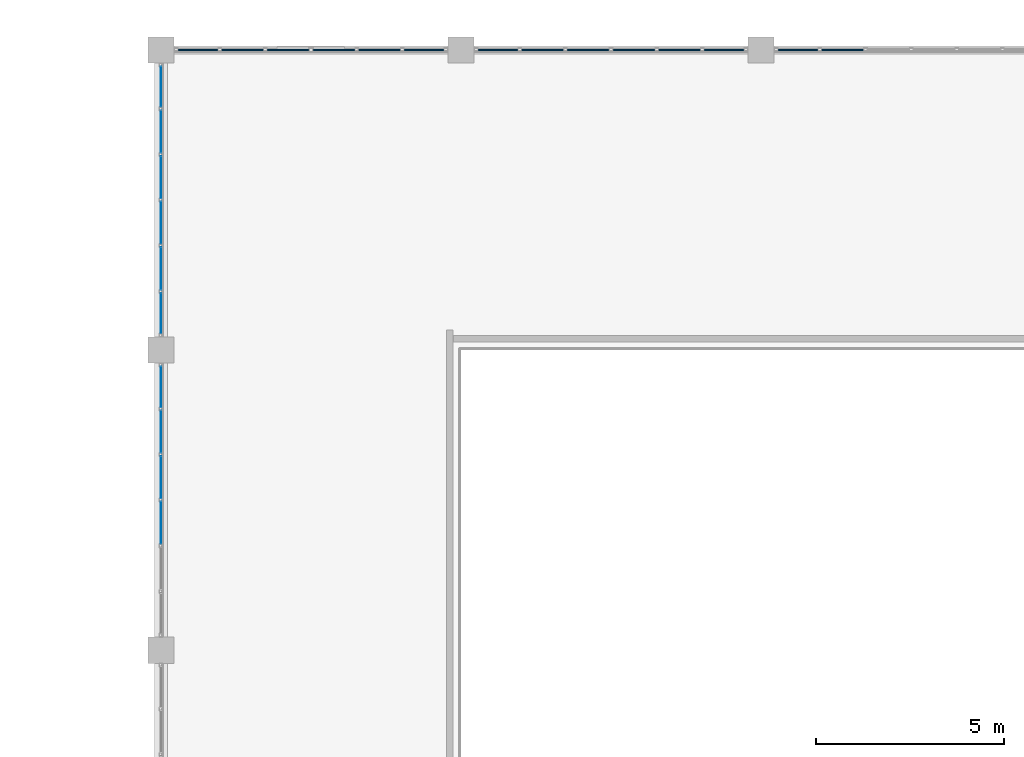
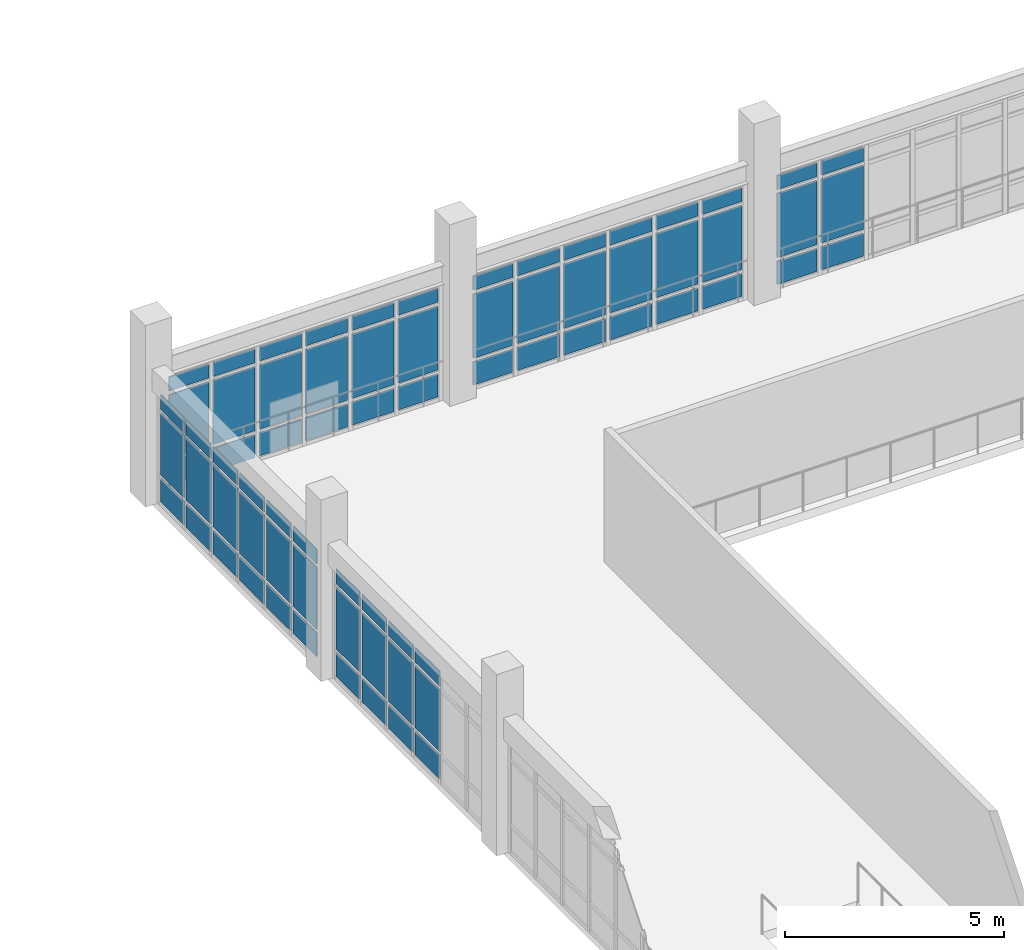
# One storey, part 114 of 159: 72 plates, 5 elements without a shape of their own.
"""IFC4 building model written with IfcOpenShell, lengths in metres."""

from ifc_helpers import new_model, si_unit, direction, frame, origin, origin_2d, place, context, subcontext, project, spatial, rectangle, extrude, material, layer, layer_set, type_object, element, aggregate, save


model = new_model("IFC4")

# Units and contexts
model_context = context("Model", 3, precision=1e-05, world=origin(), true_north=direction((0.0, 1.0)))
body_context = subcontext(model_context, "Body", "Model", "MODEL_VIEW")
ifc_project = project(units=[si_unit("LENGTHUNIT", "METRE"), si_unit("AREAUNIT", "SQUARE_METRE"), si_unit("VOLUMEUNIT", "CUBIC_METRE"), si_unit("PLANEANGLEUNIT", "RADIAN"), si_unit("MASSUNIT", "GRAM", prefix="KILO")], contexts=[model_context])

# Site, building, storey
site_placement = place(None, origin())
site = spatial("IfcSite", under=ifc_project, at=site_placement, CompositionType="ELEMENT")
building_placement = place(site_placement, origin())
building = spatial("IfcBuilding", under=site, at=building_placement, Name="Celadon Cloister-Ring School", CompositionType="ELEMENT")
storey_placement = place(building_placement, frame((0.0, 0.0, 4.5)))
storey = spatial("IfcBuildingStorey", under=building, at=storey_placement, Name="L01", CompositionType="ELEMENT", Elevation=4.5)

# Curtain wall, plates
ifc_material_1 = material(Name="Aluminium EN AW-6063 T6", Category="aluminium")
curtain_wall_type_1 = type_object("IfcCurtainWallType", Name="CW-09", PredefinedType="USERDEFINED", material=ifc_material_1)
curtain_wall_1_placement = place(storey_placement, origin())
curtain_wall_1 = element("IfcCurtainWall", 1, at=curtain_wall_1_placement, inside=storey, type_object=curtain_wall_type_1, Name="Curtain Wall 0187", ObjectType="CURTAIN WALL", PredefinedType="USERDEFINED")
ifc_material_2 = material(Name="Tempered laminated insulating glass", Category="glass")
ifc_layer_1 = layer(ifc_material_2, 0.02001953125)
ifc_layer_set_1 = layer_set([ifc_layer_1], Name="Tempered laminated insulating glass")
plate_type_1 = type_object("IfcPlateType", Name="CPN-01", PredefinedType="CURTAIN_PANEL", material=ifc_layer_set_1)
plate_1_placement = place(storey_placement, frame((142.0, 101.3916015625, 0.090087890625), z_axis=(0.0, 0.0, 1.0), x_axis=(0.0, 1.0, 0.0)))
plate_1 = element("IfcPlate", 2, at=plate_1_placement, type_object=plate_type_1, Name="CW-09 panel 3.1", PredefinedType="CURTAIN_PANEL", context=body_context, shape_type="SweptSolid", body=[
    extrude(rectangle(XDim=1.12158203125, YDim=0.02001953125, at=origin_2d()), origin(), (0.0, 0.0, 1.0), 0.6650390625),
])
plate_2_placement = place(storey_placement, frame((142.0, 101.3916015625, 0.844970703125), z_axis=(0.0, 0.0, 1.0), x_axis=(0.0, 1.0, 0.0)))
plate_2 = element("IfcPlate", 3, at=plate_2_placement, type_object=plate_type_1, Name="CW-09 panel 3.2", PredefinedType="CURTAIN_PANEL", context=body_context, shape_type="SweptSolid", body=[
    extrude(rectangle(XDim=1.12158203125, YDim=0.02001953125, at=origin_2d()), origin(), (0.0, 0.0, 1.0), 1.73193359375),
])
plate_3_placement = place(storey_placement, frame((142.0, 101.3916015625, 2.6669921875), z_axis=(0.0, 0.0, 1.0), x_axis=(0.0, 1.0, 0.0)))
plate_3 = element("IfcPlate", 4, at=plate_3_placement, type_object=plate_type_1, Name="CW-09 panel 3.3", PredefinedType="CURTAIN_PANEL", context=body_context, shape_type="SweptSolid", body=[
    extrude(rectangle(XDim=1.12158203125, YDim=0.02001953125, at=origin_2d()), origin(), (0.0, 0.0, 1.0), 0.4150390625),
])
plate_4_placement = place(storey_placement, frame((142.0, 102.6083984375, 0.090087890625), z_axis=(0.0, 0.0, 1.0), x_axis=(0.0, 1.0, 0.0)))
plate_4 = element("IfcPlate", 5, at=plate_4_placement, type_object=plate_type_1, Name="CW-09 panel 4.1", PredefinedType="CURTAIN_PANEL", context=body_context, shape_type="SweptSolid", body=[
    extrude(rectangle(XDim=1.12158203125, YDim=0.02001953125, at=origin_2d()), origin(), (0.0, 0.0, 1.0), 0.6650390625),
])
plate_5_placement = place(storey_placement, frame((142.0, 102.6083984375, 0.844970703125), z_axis=(0.0, 0.0, 1.0), x_axis=(0.0, 1.0, 0.0)))
plate_5 = element("IfcPlate", 6, at=plate_5_placement, type_object=plate_type_1, Name="CW-09 panel 4.2", PredefinedType="CURTAIN_PANEL", context=body_context, shape_type="SweptSolid", body=[
    extrude(rectangle(XDim=1.12158203125, YDim=0.02001953125, at=origin_2d()), origin(), (0.0, 0.0, 1.0), 1.73193359375),
])
plate_6_placement = place(storey_placement, frame((142.0, 102.6083984375, 2.6669921875), z_axis=(0.0, 0.0, 1.0), x_axis=(0.0, 1.0, 0.0)))
plate_6 = element("IfcPlate", 7, at=plate_6_placement, type_object=plate_type_1, Name="CW-09 panel 4.3", PredefinedType="CURTAIN_PANEL", context=body_context, shape_type="SweptSolid", body=[
    extrude(rectangle(XDim=1.12158203125, YDim=0.02001953125, at=origin_2d()), origin(), (0.0, 0.0, 1.0), 0.4150390625),
])
plate_7_placement = place(storey_placement, frame((142.0, 103.824951171875, 0.090087890625), z_axis=(0.0, 0.0, 1.0), x_axis=(0.0, 1.0, 0.0)))
plate_7 = element("IfcPlate", 8, at=plate_7_placement, type_object=plate_type_1, Name="CW-09 panel 5.1", PredefinedType="CURTAIN_PANEL", context=body_context, shape_type="SweptSolid", body=[
    extrude(rectangle(XDim=1.12158203125, YDim=0.02001953125, at=origin_2d()), origin(), (0.0, 0.0, 1.0), 0.6650390625),
])
plate_8_placement = place(storey_placement, frame((142.0, 103.824951171875, 0.844970703125), z_axis=(0.0, 0.0, 1.0), x_axis=(0.0, 1.0, 0.0)))
plate_8 = element("IfcPlate", 9, at=plate_8_placement, type_object=plate_type_1, Name="CW-09 panel 5.2", PredefinedType="CURTAIN_PANEL", context=body_context, shape_type="SweptSolid", body=[
    extrude(rectangle(XDim=1.12158203125, YDim=0.02001953125, at=origin_2d()), origin(), (0.0, 0.0, 1.0), 1.73193359375),
])
plate_9_placement = place(storey_placement, frame((142.0, 103.824951171875, 2.6669921875), z_axis=(0.0, 0.0, 1.0), x_axis=(0.0, 1.0, 0.0)))
plate_9 = element("IfcPlate", 10, at=plate_9_placement, type_object=plate_type_1, Name="CW-09 panel 5.3", PredefinedType="CURTAIN_PANEL", context=body_context, shape_type="SweptSolid", body=[
    extrude(rectangle(XDim=1.12158203125, YDim=0.02001953125, at=origin_2d()), origin(), (0.0, 0.0, 1.0), 0.4150390625),
])
plate_10_placement = place(storey_placement, frame((142.0, 105.017822265625, 0.090087890625), z_axis=(0.0, 0.0, 1.0), x_axis=(0.0, 1.0, 0.0)))
plate_10 = element("IfcPlate", 11, at=plate_10_placement, type_object=plate_type_1, Name="CW-09 panel 6.1", PredefinedType="CURTAIN_PANEL", context=body_context, shape_type="SweptSolid", body=[
    extrude(rectangle(XDim=1.07421875, YDim=0.02001953125, at=origin_2d()), origin(), (0.0, 0.0, 1.0), 0.6650390625),
])
plate_11_placement = place(storey_placement, frame((142.0, 105.017822265625, 0.844970703125), z_axis=(0.0, 0.0, 1.0), x_axis=(0.0, 1.0, 0.0)))
plate_11 = element("IfcPlate", 12, at=plate_11_placement, type_object=plate_type_1, Name="CW-09 panel 6.2", PredefinedType="CURTAIN_PANEL", context=body_context, shape_type="SweptSolid", body=[
    extrude(rectangle(XDim=1.07421875, YDim=0.02001953125, at=origin_2d()), origin(), (0.0, 0.0, 1.0), 1.73193359375),
])
plate_12_placement = place(storey_placement, frame((142.0, 105.017822265625, 2.6669921875), z_axis=(0.0, 0.0, 1.0), x_axis=(0.0, 1.0, 0.0)))
plate_12 = element("IfcPlate", 13, at=plate_12_placement, type_object=plate_type_1, Name="CW-09 panel 6.3", PredefinedType="CURTAIN_PANEL", context=body_context, shape_type="SweptSolid", body=[
    extrude(rectangle(XDim=1.07421875, YDim=0.02001953125, at=origin_2d()), origin(), (0.0, 0.0, 1.0), 0.4150390625),
])
aggregate(curtain_wall_1, [plate_1, plate_2, plate_3, plate_4, plate_5, plate_6, plate_7, plate_8, plate_9, plate_10, plate_11, plate_12])

curtain_wall_2_placement = place(storey_placement, origin())
curtain_wall_2 = element("IfcCurtainWall", 14, at=curtain_wall_2_placement, inside=storey, type_object=curtain_wall_type_1, Name="Curtain Wall 0188", ObjectType="CURTAIN WALL", PredefinedType="USERDEFINED")
plate_13_placement = place(storey_placement, frame((142.0, 106.982177734375, 0.090087890625), z_axis=(0.0, 0.0, 1.0), x_axis=(0.0, 1.0, 0.0)))
plate_13 = element("IfcPlate", 15, at=plate_13_placement, type_object=plate_type_1, Name="CW-09 panel 1.1", PredefinedType="CURTAIN_PANEL", context=body_context, shape_type="SweptSolid", body=[
    extrude(rectangle(XDim=1.07421875, YDim=0.02001953125, at=origin_2d()), origin(), (0.0, 0.0, 1.0), 0.6650390625),
])
plate_14_placement = place(storey_placement, frame((142.0, 106.982177734375, 0.844970703125), z_axis=(0.0, 0.0, 1.0), x_axis=(0.0, 1.0, 0.0)))
plate_14 = element("IfcPlate", 16, at=plate_14_placement, type_object=plate_type_1, Name="CW-09 panel 1.2", PredefinedType="CURTAIN_PANEL", context=body_context, shape_type="SweptSolid", body=[
    extrude(rectangle(XDim=1.07421875, YDim=0.02001953125, at=origin_2d()), origin(), (0.0, 0.0, 1.0), 1.73193359375),
])
plate_15_placement = place(storey_placement, frame((142.0, 106.982177734375, 2.6669921875), z_axis=(0.0, 0.0, 1.0), x_axis=(0.0, 1.0, 0.0)))
plate_15 = element("IfcPlate", 17, at=plate_15_placement, type_object=plate_type_1, Name="CW-09 panel 1.3", PredefinedType="CURTAIN_PANEL", context=body_context, shape_type="SweptSolid", body=[
    extrude(rectangle(XDim=1.07421875, YDim=0.02001953125, at=origin_2d()), origin(), (0.0, 0.0, 1.0), 0.4150390625),
])
plate_16_placement = place(storey_placement, frame((142.0, 108.175048828125, 0.090087890625), z_axis=(0.0, 0.0, 1.0), x_axis=(0.0, 1.0, 0.0)))
plate_16 = element("IfcPlate", 18, at=plate_16_placement, type_object=plate_type_1, Name="CW-09 panel 2.1", PredefinedType="CURTAIN_PANEL", context=body_context, shape_type="SweptSolid", body=[
    extrude(rectangle(XDim=1.12158203125, YDim=0.02001953125, at=origin_2d()), origin(), (0.0, 0.0, 1.0), 0.6650390625),
])
plate_17_placement = place(storey_placement, frame((142.0, 108.175048828125, 0.844970703125), z_axis=(0.0, 0.0, 1.0), x_axis=(0.0, 1.0, 0.0)))
plate_17 = element("IfcPlate", 19, at=plate_17_placement, type_object=plate_type_1, Name="CW-09 panel 2.2", PredefinedType="CURTAIN_PANEL", context=body_context, shape_type="SweptSolid", body=[
    extrude(rectangle(XDim=1.12158203125, YDim=0.02001953125, at=origin_2d()), origin(), (0.0, 0.0, 1.0), 1.73193359375),
])
plate_18_placement = place(storey_placement, frame((142.0, 108.175048828125, 2.6669921875), z_axis=(0.0, 0.0, 1.0), x_axis=(0.0, 1.0, 0.0)))
plate_18 = element("IfcPlate", 20, at=plate_18_placement, type_object=plate_type_1, Name="CW-09 panel 2.3", PredefinedType="CURTAIN_PANEL", context=body_context, shape_type="SweptSolid", body=[
    extrude(rectangle(XDim=1.12158203125, YDim=0.02001953125, at=origin_2d()), origin(), (0.0, 0.0, 1.0), 0.4150390625),
])
plate_19_placement = place(storey_placement, frame((142.0, 109.3916015625, 0.090087890625), z_axis=(0.0, 0.0, 1.0), x_axis=(0.0, 1.0, 0.0)))
plate_19 = element("IfcPlate", 21, at=plate_19_placement, type_object=plate_type_1, Name="CW-09 panel 3.1", PredefinedType="CURTAIN_PANEL", context=body_context, shape_type="SweptSolid", body=[
    extrude(rectangle(XDim=1.12158203125, YDim=0.02001953125, at=origin_2d()), origin(), (0.0, 0.0, 1.0), 0.6650390625),
])
plate_20_placement = place(storey_placement, frame((142.0, 109.3916015625, 0.844970703125), z_axis=(0.0, 0.0, 1.0), x_axis=(0.0, 1.0, 0.0)))
plate_20 = element("IfcPlate", 22, at=plate_20_placement, type_object=plate_type_1, Name="CW-09 panel 3.2", PredefinedType="CURTAIN_PANEL", context=body_context, shape_type="SweptSolid", body=[
    extrude(rectangle(XDim=1.12158203125, YDim=0.02001953125, at=origin_2d()), origin(), (0.0, 0.0, 1.0), 1.73193359375),
])
plate_21_placement = place(storey_placement, frame((142.0, 109.3916015625, 2.6669921875), z_axis=(0.0, 0.0, 1.0), x_axis=(0.0, 1.0, 0.0)))
plate_21 = element("IfcPlate", 23, at=plate_21_placement, type_object=plate_type_1, Name="CW-09 panel 3.3", PredefinedType="CURTAIN_PANEL", context=body_context, shape_type="SweptSolid", body=[
    extrude(rectangle(XDim=1.12158203125, YDim=0.02001953125, at=origin_2d()), origin(), (0.0, 0.0, 1.0), 0.4150390625),
])
plate_22_placement = place(storey_placement, frame((142.0, 110.6083984375, 0.090087890625), z_axis=(0.0, 0.0, 1.0), x_axis=(0.0, 1.0, 0.0)))
plate_22 = element("IfcPlate", 24, at=plate_22_placement, type_object=plate_type_1, Name="CW-09 panel 4.1", PredefinedType="CURTAIN_PANEL", context=body_context, shape_type="SweptSolid", body=[
    extrude(rectangle(XDim=1.12158203125, YDim=0.02001953125, at=origin_2d()), origin(), (0.0, 0.0, 1.0), 0.6650390625),
])
plate_23_placement = place(storey_placement, frame((142.0, 110.6083984375, 0.844970703125), z_axis=(0.0, 0.0, 1.0), x_axis=(0.0, 1.0, 0.0)))
plate_23 = element("IfcPlate", 25, at=plate_23_placement, type_object=plate_type_1, Name="CW-09 panel 4.2", PredefinedType="CURTAIN_PANEL", context=body_context, shape_type="SweptSolid", body=[
    extrude(rectangle(XDim=1.12158203125, YDim=0.02001953125, at=origin_2d()), origin(), (0.0, 0.0, 1.0), 1.73193359375),
])
plate_24_placement = place(storey_placement, frame((142.0, 110.6083984375, 2.6669921875), z_axis=(0.0, 0.0, 1.0), x_axis=(0.0, 1.0, 0.0)))
plate_24 = element("IfcPlate", 26, at=plate_24_placement, type_object=plate_type_1, Name="CW-09 panel 4.3", PredefinedType="CURTAIN_PANEL", context=body_context, shape_type="SweptSolid", body=[
    extrude(rectangle(XDim=1.12158203125, YDim=0.02001953125, at=origin_2d()), origin(), (0.0, 0.0, 1.0), 0.4150390625),
])
plate_25_placement = place(storey_placement, frame((142.0, 111.824951171875, 0.090087890625), z_axis=(0.0, 0.0, 1.0), x_axis=(0.0, 1.0, 0.0)))
plate_25 = element("IfcPlate", 27, at=plate_25_placement, type_object=plate_type_1, Name="CW-09 panel 5.1", PredefinedType="CURTAIN_PANEL", context=body_context, shape_type="SweptSolid", body=[
    extrude(rectangle(XDim=1.12158203125, YDim=0.02001953125, at=origin_2d()), origin(), (0.0, 0.0, 1.0), 0.6650390625),
])
plate_26_placement = place(storey_placement, frame((142.0, 111.824951171875, 0.844970703125), z_axis=(0.0, 0.0, 1.0), x_axis=(0.0, 1.0, 0.0)))
plate_26 = element("IfcPlate", 28, at=plate_26_placement, type_object=plate_type_1, Name="CW-09 panel 5.2", PredefinedType="CURTAIN_PANEL", context=body_context, shape_type="SweptSolid", body=[
    extrude(rectangle(XDim=1.12158203125, YDim=0.02001953125, at=origin_2d()), origin(), (0.0, 0.0, 1.0), 1.73193359375),
])
plate_27_placement = place(storey_placement, frame((142.0, 111.824951171875, 2.6669921875), z_axis=(0.0, 0.0, 1.0), x_axis=(0.0, 1.0, 0.0)))
plate_27 = element("IfcPlate", 29, at=plate_27_placement, type_object=plate_type_1, Name="CW-09 panel 5.3", PredefinedType="CURTAIN_PANEL", context=body_context, shape_type="SweptSolid", body=[
    extrude(rectangle(XDim=1.12158203125, YDim=0.02001953125, at=origin_2d()), origin(), (0.0, 0.0, 1.0), 0.4150390625),
])
plate_28_placement = place(storey_placement, frame((142.0, 113.017822265625, 0.090087890625), z_axis=(0.0, 0.0, 1.0), x_axis=(0.0, 1.0, 0.0)))
plate_28 = element("IfcPlate", 30, at=plate_28_placement, type_object=plate_type_1, Name="CW-09 panel 6.1", PredefinedType="CURTAIN_PANEL", context=body_context, shape_type="SweptSolid", body=[
    extrude(rectangle(XDim=1.07421875, YDim=0.02001953125, at=origin_2d()), origin(), (0.0, 0.0, 1.0), 0.6650390625),
])
plate_29_placement = place(storey_placement, frame((142.0, 113.017822265625, 0.844970703125), z_axis=(0.0, 0.0, 1.0), x_axis=(0.0, 1.0, 0.0)))
plate_29 = element("IfcPlate", 31, at=plate_29_placement, type_object=plate_type_1, Name="CW-09 panel 6.2", PredefinedType="CURTAIN_PANEL", context=body_context, shape_type="SweptSolid", body=[
    extrude(rectangle(XDim=1.07421875, YDim=0.02001953125, at=origin_2d()), origin(), (0.0, 0.0, 1.0), 1.73193359375),
])
plate_30_placement = place(storey_placement, frame((142.0, 113.017822265625, 2.6669921875), z_axis=(0.0, 0.0, 1.0), x_axis=(0.0, 1.0, 0.0)))
plate_30 = element("IfcPlate", 32, at=plate_30_placement, type_object=plate_type_1, Name="CW-09 panel 6.3", PredefinedType="CURTAIN_PANEL", context=body_context, shape_type="SweptSolid", body=[
    extrude(rectangle(XDim=1.07421875, YDim=0.02001953125, at=origin_2d()), origin(), (0.0, 0.0, 1.0), 0.4150390625),
])
aggregate(curtain_wall_2, [plate_13, plate_14, plate_15, plate_16, plate_17, plate_18, plate_19, plate_20, plate_21, plate_22, plate_23, plate_24, plate_25, plate_26, plate_27, plate_28, plate_29, plate_30])

ifc_material_3 = material(Name="Aluminium EN AW-6063 T6", Category="aluminium")
curtain_wall_type_2 = type_object("IfcCurtainWallType", Name="CW-08", PredefinedType="USERDEFINED", material=ifc_material_3)
curtain_wall_3_placement = place(storey_placement, origin())
curtain_wall_3 = element("IfcCurtainWall", 33, at=curtain_wall_3_placement, inside=storey, type_object=curtain_wall_type_2, Name="Curtain Wall 0180", ObjectType="CURTAIN WALL", PredefinedType="USERDEFINED")
ifc_material_4 = material(Name="Tempered laminated insulating glass", Category="glass")
ifc_layer_2 = layer(ifc_material_4, 0.028076171875)
ifc_layer_set_2 = layer_set([ifc_layer_2], Name="Tempered laminated insulating glass")
plate_type_2 = type_object("IfcPlateType", Name="CPN-02", PredefinedType="CURTAIN_PANEL", material=ifc_layer_set_2)
plate_31_placement = place(storey_placement, frame((142.98583984375, 114.0, 0.10498046875), z_axis=(0.0, 0.0, 1.0), x_axis=(1.0, 0.0, 0.0)))
plate_31 = element("IfcPlate", 34, at=plate_31_placement, type_object=plate_type_2, Name="CW-08 panel 1.1", PredefinedType="CURTAIN_PANEL", context=body_context, shape_type="SweptSolid", body=[
    extrude(rectangle(XDim=1.0517578125, YDim=0.028076171875, at=origin_2d()), origin(), (0.0, 0.0, 1.0), 0.642578125),
])
plate_32_placement = place(storey_placement, frame((142.98583984375, 114.0, 0.8525390625), z_axis=(0.0, 0.0, 1.0), x_axis=(1.0, 0.0, 0.0)))
plate_32 = element("IfcPlate", 35, at=plate_32_placement, type_object=plate_type_2, Name="CW-08 panel 1.2", PredefinedType="CURTAIN_PANEL", context=body_context, shape_type="SweptSolid", body=[
    extrude(rectangle(XDim=1.0517578125, YDim=0.028076171875, at=origin_2d()), origin(), (0.0, 0.0, 1.0), 1.783935546875),
])
plate_33_placement = place(storey_placement, frame((142.98583984375, 114.0, 2.741455078125), z_axis=(0.0, 0.0, 1.0), x_axis=(1.0, 0.0, 0.0)))
plate_33 = element("IfcPlate", 36, at=plate_33_placement, type_object=plate_type_2, Name="CW-08 panel 1.3", PredefinedType="CURTAIN_PANEL", context=body_context, shape_type="SweptSolid", body=[
    extrude(rectangle(XDim=1.0517578125, YDim=0.028076171875, at=origin_2d()), origin(), (0.0, 0.0, 1.0), 0.392578125),
])
plate_34_placement = place(storey_placement, frame((144.175048828125, 114.0, 0.10498046875), z_axis=(0.0, 0.0, 1.0), x_axis=(1.0, 0.0, 0.0)))
plate_34 = element("IfcPlate", 37, at=plate_34_placement, type_object=plate_type_2, Name="CW-08 panel 2.1", PredefinedType="CURTAIN_PANEL", context=body_context, shape_type="SweptSolid", body=[
    extrude(rectangle(XDim=1.106689453125, YDim=0.028076171875, at=origin_2d()), origin(), (0.0, 0.0, 1.0), 0.642578125),
])
plate_35_placement = place(storey_placement, frame((144.175048828125, 114.0, 0.8525390625), z_axis=(0.0, 0.0, 1.0), x_axis=(1.0, 0.0, 0.0)))
plate_35 = element("IfcPlate", 38, at=plate_35_placement, type_object=plate_type_2, Name="CW-08 panel 2.2", PredefinedType="CURTAIN_PANEL", context=body_context, shape_type="SweptSolid", body=[
    extrude(rectangle(XDim=1.106689453125, YDim=0.028076171875, at=origin_2d()), origin(), (0.0, 0.0, 1.0), 1.783935546875),
])
plate_36_placement = place(storey_placement, frame((144.175048828125, 114.0, 2.741455078125), z_axis=(0.0, 0.0, 1.0), x_axis=(1.0, 0.0, 0.0)))
plate_36 = element("IfcPlate", 39, at=plate_36_placement, type_object=plate_type_2, Name="CW-08 panel 2.3", PredefinedType="CURTAIN_PANEL", context=body_context, shape_type="SweptSolid", body=[
    extrude(rectangle(XDim=1.106689453125, YDim=0.028076171875, at=origin_2d()), origin(), (0.0, 0.0, 1.0), 0.392578125),
])
plate_37_placement = place(storey_placement, frame((145.3916015625, 114.0, 0.10498046875), z_axis=(0.0, 0.0, 1.0), x_axis=(1.0, 0.0, 0.0)))
plate_37 = element("IfcPlate", 40, at=plate_37_placement, type_object=plate_type_2, Name="CW-08 panel 3.1", PredefinedType="CURTAIN_PANEL", context=body_context, shape_type="SweptSolid", body=[
    extrude(rectangle(XDim=1.106689453125, YDim=0.028076171875, at=origin_2d()), origin(), (0.0, 0.0, 1.0), 0.642578125),
])
plate_38_placement = place(storey_placement, frame((145.3916015625, 114.0, 0.8525390625), z_axis=(0.0, 0.0, 1.0), x_axis=(1.0, 0.0, 0.0)))
plate_38 = element("IfcPlate", 41, at=plate_38_placement, type_object=plate_type_2, Name="CW-08 panel 3.2", PredefinedType="CURTAIN_PANEL", context=body_context, shape_type="SweptSolid", body=[
    extrude(rectangle(XDim=1.106689453125, YDim=0.028076171875, at=origin_2d()), origin(), (0.0, 0.0, 1.0), 1.783935546875),
])
plate_39_placement = place(storey_placement, frame((145.3916015625, 114.0, 2.741455078125), z_axis=(0.0, 0.0, 1.0), x_axis=(1.0, 0.0, 0.0)))
plate_39 = element("IfcPlate", 42, at=plate_39_placement, type_object=plate_type_2, Name="CW-08 panel 3.3", PredefinedType="CURTAIN_PANEL", context=body_context, shape_type="SweptSolid", body=[
    extrude(rectangle(XDim=1.106689453125, YDim=0.028076171875, at=origin_2d()), origin(), (0.0, 0.0, 1.0), 0.392578125),
])
plate_40_placement = place(storey_placement, frame((146.6083984375, 114.0, 0.10498046875), z_axis=(0.0, 0.0, 1.0), x_axis=(1.0, 0.0, 0.0)))
plate_40 = element("IfcPlate", 43, at=plate_40_placement, type_object=plate_type_2, Name="CW-08 panel 4.1", PredefinedType="CURTAIN_PANEL", context=body_context, shape_type="SweptSolid", body=[
    extrude(rectangle(XDim=1.106689453125, YDim=0.028076171875, at=origin_2d()), origin(), (0.0, 0.0, 1.0), 0.642578125),
])
plate_41_placement = place(storey_placement, frame((146.6083984375, 114.0, 0.8525390625), z_axis=(0.0, 0.0, 1.0), x_axis=(1.0, 0.0, 0.0)))
plate_41 = element("IfcPlate", 44, at=plate_41_placement, type_object=plate_type_2, Name="CW-08 panel 4.2", PredefinedType="CURTAIN_PANEL", context=body_context, shape_type="SweptSolid", body=[
    extrude(rectangle(XDim=1.106689453125, YDim=0.028076171875, at=origin_2d()), origin(), (0.0, 0.0, 1.0), 1.783935546875),
])
plate_42_placement = place(storey_placement, frame((146.6083984375, 114.0, 2.741455078125), z_axis=(0.0, 0.0, 1.0), x_axis=(1.0, 0.0, 0.0)))
plate_42 = element("IfcPlate", 45, at=plate_42_placement, type_object=plate_type_2, Name="CW-08 panel 4.3", PredefinedType="CURTAIN_PANEL", context=body_context, shape_type="SweptSolid", body=[
    extrude(rectangle(XDim=1.106689453125, YDim=0.028076171875, at=origin_2d()), origin(), (0.0, 0.0, 1.0), 0.392578125),
])
plate_43_placement = place(storey_placement, frame((147.824951171875, 114.0, 0.10498046875), z_axis=(0.0, 0.0, 1.0), x_axis=(1.0, 0.0, 0.0)))
plate_43 = element("IfcPlate", 46, at=plate_43_placement, type_object=plate_type_2, Name="CW-08 panel 5.1", PredefinedType="CURTAIN_PANEL", context=body_context, shape_type="SweptSolid", body=[
    extrude(rectangle(XDim=1.106689453125, YDim=0.028076171875, at=origin_2d()), origin(), (0.0, 0.0, 1.0), 0.642578125),
])
plate_44_placement = place(storey_placement, frame((147.824951171875, 114.0, 0.8525390625), z_axis=(0.0, 0.0, 1.0), x_axis=(1.0, 0.0, 0.0)))
plate_44 = element("IfcPlate", 47, at=plate_44_placement, type_object=plate_type_2, Name="CW-08 panel 5.2", PredefinedType="CURTAIN_PANEL", context=body_context, shape_type="SweptSolid", body=[
    extrude(rectangle(XDim=1.106689453125, YDim=0.028076171875, at=origin_2d()), origin(), (0.0, 0.0, 1.0), 1.783935546875),
])
plate_45_placement = place(storey_placement, frame((147.824951171875, 114.0, 2.741455078125), z_axis=(0.0, 0.0, 1.0), x_axis=(1.0, 0.0, 0.0)))
plate_45 = element("IfcPlate", 48, at=plate_45_placement, type_object=plate_type_2, Name="CW-08 panel 5.3", PredefinedType="CURTAIN_PANEL", context=body_context, shape_type="SweptSolid", body=[
    extrude(rectangle(XDim=1.106689453125, YDim=0.028076171875, at=origin_2d()), origin(), (0.0, 0.0, 1.0), 0.392578125),
])
plate_46_placement = place(storey_placement, frame((149.01416015625, 114.0, 0.10498046875), z_axis=(0.0, 0.0, 1.0), x_axis=(1.0, 0.0, 0.0)))
plate_46 = element("IfcPlate", 49, at=plate_46_placement, type_object=plate_type_2, Name="CW-08 panel 6.1", PredefinedType="CURTAIN_PANEL", context=body_context, shape_type="SweptSolid", body=[
    extrude(rectangle(XDim=1.0517578125, YDim=0.028076171875, at=origin_2d()), origin(), (0.0, 0.0, 1.0), 0.642578125),
])
plate_47_placement = place(storey_placement, frame((149.01416015625, 114.0, 0.8525390625), z_axis=(0.0, 0.0, 1.0), x_axis=(1.0, 0.0, 0.0)))
plate_47 = element("IfcPlate", 50, at=plate_47_placement, type_object=plate_type_2, Name="CW-08 panel 6.2", PredefinedType="CURTAIN_PANEL", context=body_context, shape_type="SweptSolid", body=[
    extrude(rectangle(XDim=1.0517578125, YDim=0.028076171875, at=origin_2d()), origin(), (0.0, 0.0, 1.0), 1.783935546875),
])
plate_48_placement = place(storey_placement, frame((149.01416015625, 114.0, 2.741455078125), z_axis=(0.0, 0.0, 1.0), x_axis=(1.0, 0.0, 0.0)))
plate_48 = element("IfcPlate", 51, at=plate_48_placement, type_object=plate_type_2, Name="CW-08 panel 6.3", PredefinedType="CURTAIN_PANEL", context=body_context, shape_type="SweptSolid", body=[
    extrude(rectangle(XDim=1.0517578125, YDim=0.028076171875, at=origin_2d()), origin(), (0.0, 0.0, 1.0), 0.392578125),
])
aggregate(curtain_wall_3, [plate_31, plate_32, plate_33, plate_34, plate_35, plate_36, plate_37, plate_38, plate_39, plate_40, plate_41, plate_42, plate_43, plate_44, plate_45, plate_46, plate_47, plate_48])

curtain_wall_4_placement = place(storey_placement, origin())
curtain_wall_4 = element("IfcCurtainWall", 52, at=curtain_wall_4_placement, inside=storey, type_object=curtain_wall_type_2, Name="Curtain Wall 0181", ObjectType="CURTAIN WALL", PredefinedType="USERDEFINED")
plate_49_placement = place(storey_placement, frame((150.98583984375, 114.0, 0.10498046875), z_axis=(0.0, 0.0, 1.0), x_axis=(1.0, 0.0, 0.0)))
plate_49 = element("IfcPlate", 53, at=plate_49_placement, type_object=plate_type_2, Name="CW-08 panel 1.1", PredefinedType="CURTAIN_PANEL", context=body_context, shape_type="SweptSolid", body=[
    extrude(rectangle(XDim=1.0517578125, YDim=0.028076171875, at=origin_2d()), origin(), (0.0, 0.0, 1.0), 0.642578125),
])
plate_50_placement = place(storey_placement, frame((150.98583984375, 114.0, 0.8525390625), z_axis=(0.0, 0.0, 1.0), x_axis=(1.0, 0.0, 0.0)))
plate_50 = element("IfcPlate", 54, at=plate_50_placement, type_object=plate_type_2, Name="CW-08 panel 1.2", PredefinedType="CURTAIN_PANEL", context=body_context, shape_type="SweptSolid", body=[
    extrude(rectangle(XDim=1.0517578125, YDim=0.028076171875, at=origin_2d()), origin(), (0.0, 0.0, 1.0), 1.783935546875),
])
plate_51_placement = place(storey_placement, frame((150.98583984375, 114.0, 2.741455078125), z_axis=(0.0, 0.0, 1.0), x_axis=(1.0, 0.0, 0.0)))
plate_51 = element("IfcPlate", 55, at=plate_51_placement, type_object=plate_type_2, Name="CW-08 panel 1.3", PredefinedType="CURTAIN_PANEL", context=body_context, shape_type="SweptSolid", body=[
    extrude(rectangle(XDim=1.0517578125, YDim=0.028076171875, at=origin_2d()), origin(), (0.0, 0.0, 1.0), 0.392578125),
])
plate_52_placement = place(storey_placement, frame((152.175048828125, 114.0, 0.10498046875), z_axis=(0.0, 0.0, 1.0), x_axis=(1.0, 0.0, 0.0)))
plate_52 = element("IfcPlate", 56, at=plate_52_placement, type_object=plate_type_2, Name="CW-08 panel 2.1", PredefinedType="CURTAIN_PANEL", context=body_context, shape_type="SweptSolid", body=[
    extrude(rectangle(XDim=1.106689453125, YDim=0.028076171875, at=origin_2d()), origin(), (0.0, 0.0, 1.0), 0.642578125),
])
plate_53_placement = place(storey_placement, frame((152.175048828125, 114.0, 0.8525390625), z_axis=(0.0, 0.0, 1.0), x_axis=(1.0, 0.0, 0.0)))
plate_53 = element("IfcPlate", 57, at=plate_53_placement, type_object=plate_type_2, Name="CW-08 panel 2.2", PredefinedType="CURTAIN_PANEL", context=body_context, shape_type="SweptSolid", body=[
    extrude(rectangle(XDim=1.106689453125, YDim=0.028076171875, at=origin_2d()), origin(), (0.0, 0.0, 1.0), 1.783935546875),
])
plate_54_placement = place(storey_placement, frame((152.175048828125, 114.0, 2.741455078125), z_axis=(0.0, 0.0, 1.0), x_axis=(1.0, 0.0, 0.0)))
plate_54 = element("IfcPlate", 58, at=plate_54_placement, type_object=plate_type_2, Name="CW-08 panel 2.3", PredefinedType="CURTAIN_PANEL", context=body_context, shape_type="SweptSolid", body=[
    extrude(rectangle(XDim=1.106689453125, YDim=0.028076171875, at=origin_2d()), origin(), (0.0, 0.0, 1.0), 0.392578125),
])
plate_55_placement = place(storey_placement, frame((153.3916015625, 114.0, 0.10498046875), z_axis=(0.0, 0.0, 1.0), x_axis=(1.0, 0.0, 0.0)))
plate_55 = element("IfcPlate", 59, at=plate_55_placement, type_object=plate_type_2, Name="CW-08 panel 3.1", PredefinedType="CURTAIN_PANEL", context=body_context, shape_type="SweptSolid", body=[
    extrude(rectangle(XDim=1.106689453125, YDim=0.028076171875, at=origin_2d()), origin(), (0.0, 0.0, 1.0), 0.642578125),
])
plate_56_placement = place(storey_placement, frame((153.3916015625, 114.0, 0.8525390625), z_axis=(0.0, 0.0, 1.0), x_axis=(1.0, 0.0, 0.0)))
plate_56 = element("IfcPlate", 60, at=plate_56_placement, type_object=plate_type_2, Name="CW-08 panel 3.2", PredefinedType="CURTAIN_PANEL", context=body_context, shape_type="SweptSolid", body=[
    extrude(rectangle(XDim=1.106689453125, YDim=0.028076171875, at=origin_2d()), origin(), (0.0, 0.0, 1.0), 1.783935546875),
])
plate_57_placement = place(storey_placement, frame((153.3916015625, 114.0, 2.741455078125), z_axis=(0.0, 0.0, 1.0), x_axis=(1.0, 0.0, 0.0)))
plate_57 = element("IfcPlate", 61, at=plate_57_placement, type_object=plate_type_2, Name="CW-08 panel 3.3", PredefinedType="CURTAIN_PANEL", context=body_context, shape_type="SweptSolid", body=[
    extrude(rectangle(XDim=1.106689453125, YDim=0.028076171875, at=origin_2d()), origin(), (0.0, 0.0, 1.0), 0.392578125),
])
plate_58_placement = place(storey_placement, frame((154.6083984375, 114.0, 0.10498046875), z_axis=(0.0, 0.0, 1.0), x_axis=(1.0, 0.0, 0.0)))
plate_58 = element("IfcPlate", 62, at=plate_58_placement, type_object=plate_type_2, Name="CW-08 panel 4.1", PredefinedType="CURTAIN_PANEL", context=body_context, shape_type="SweptSolid", body=[
    extrude(rectangle(XDim=1.106689453125, YDim=0.028076171875, at=origin_2d()), origin(), (0.0, 0.0, 1.0), 0.642578125),
])
plate_59_placement = place(storey_placement, frame((154.6083984375, 114.0, 0.8525390625), z_axis=(0.0, 0.0, 1.0), x_axis=(1.0, 0.0, 0.0)))
plate_59 = element("IfcPlate", 63, at=plate_59_placement, type_object=plate_type_2, Name="CW-08 panel 4.2", PredefinedType="CURTAIN_PANEL", context=body_context, shape_type="SweptSolid", body=[
    extrude(rectangle(XDim=1.106689453125, YDim=0.028076171875, at=origin_2d()), origin(), (0.0, 0.0, 1.0), 1.783935546875),
])
plate_60_placement = place(storey_placement, frame((154.6083984375, 114.0, 2.741455078125), z_axis=(0.0, 0.0, 1.0), x_axis=(1.0, 0.0, 0.0)))
plate_60 = element("IfcPlate", 64, at=plate_60_placement, type_object=plate_type_2, Name="CW-08 panel 4.3", PredefinedType="CURTAIN_PANEL", context=body_context, shape_type="SweptSolid", body=[
    extrude(rectangle(XDim=1.106689453125, YDim=0.028076171875, at=origin_2d()), origin(), (0.0, 0.0, 1.0), 0.392578125),
])
plate_61_placement = place(storey_placement, frame((155.824951171875, 114.0, 0.10498046875), z_axis=(0.0, 0.0, 1.0), x_axis=(1.0, 0.0, 0.0)))
plate_61 = element("IfcPlate", 65, at=plate_61_placement, type_object=plate_type_2, Name="CW-08 panel 5.1", PredefinedType="CURTAIN_PANEL", context=body_context, shape_type="SweptSolid", body=[
    extrude(rectangle(XDim=1.106689453125, YDim=0.028076171875, at=origin_2d()), origin(), (0.0, 0.0, 1.0), 0.642578125),
])
plate_62_placement = place(storey_placement, frame((155.824951171875, 114.0, 0.8525390625), z_axis=(0.0, 0.0, 1.0), x_axis=(1.0, 0.0, 0.0)))
plate_62 = element("IfcPlate", 66, at=plate_62_placement, type_object=plate_type_2, Name="CW-08 panel 5.2", PredefinedType="CURTAIN_PANEL", context=body_context, shape_type="SweptSolid", body=[
    extrude(rectangle(XDim=1.106689453125, YDim=0.028076171875, at=origin_2d()), origin(), (0.0, 0.0, 1.0), 1.783935546875),
])
plate_63_placement = place(storey_placement, frame((155.824951171875, 114.0, 2.741455078125), z_axis=(0.0, 0.0, 1.0), x_axis=(1.0, 0.0, 0.0)))
plate_63 = element("IfcPlate", 67, at=plate_63_placement, type_object=plate_type_2, Name="CW-08 panel 5.3", PredefinedType="CURTAIN_PANEL", context=body_context, shape_type="SweptSolid", body=[
    extrude(rectangle(XDim=1.106689453125, YDim=0.028076171875, at=origin_2d()), origin(), (0.0, 0.0, 1.0), 0.392578125),
])
plate_64_placement = place(storey_placement, frame((157.01416015625, 114.0, 0.10498046875), z_axis=(0.0, 0.0, 1.0), x_axis=(1.0, 0.0, 0.0)))
plate_64 = element("IfcPlate", 68, at=plate_64_placement, type_object=plate_type_2, Name="CW-08 panel 6.1", PredefinedType="CURTAIN_PANEL", context=body_context, shape_type="SweptSolid", body=[
    extrude(rectangle(XDim=1.0517578125, YDim=0.028076171875, at=origin_2d()), origin(), (0.0, 0.0, 1.0), 0.642578125),
])
plate_65_placement = place(storey_placement, frame((157.01416015625, 114.0, 0.8525390625), z_axis=(0.0, 0.0, 1.0), x_axis=(1.0, 0.0, 0.0)))
plate_65 = element("IfcPlate", 69, at=plate_65_placement, type_object=plate_type_2, Name="CW-08 panel 6.2", PredefinedType="CURTAIN_PANEL", context=body_context, shape_type="SweptSolid", body=[
    extrude(rectangle(XDim=1.0517578125, YDim=0.028076171875, at=origin_2d()), origin(), (0.0, 0.0, 1.0), 1.783935546875),
])
plate_66_placement = place(storey_placement, frame((157.01416015625, 114.0, 2.741455078125), z_axis=(0.0, 0.0, 1.0), x_axis=(1.0, 0.0, 0.0)))
plate_66 = element("IfcPlate", 70, at=plate_66_placement, type_object=plate_type_2, Name="CW-08 panel 6.3", PredefinedType="CURTAIN_PANEL", context=body_context, shape_type="SweptSolid", body=[
    extrude(rectangle(XDim=1.0517578125, YDim=0.028076171875, at=origin_2d()), origin(), (0.0, 0.0, 1.0), 0.392578125),
])
aggregate(curtain_wall_4, [plate_49, plate_50, plate_51, plate_52, plate_53, plate_54, plate_55, plate_56, plate_57, plate_58, plate_59, plate_60, plate_61, plate_62, plate_63, plate_64, plate_65, plate_66])

curtain_wall_5_placement = place(storey_placement, origin())
curtain_wall_5 = element("IfcCurtainWall", 71, at=curtain_wall_5_placement, inside=storey, type_object=curtain_wall_type_2, Name="Curtain Wall 0182", ObjectType="CURTAIN WALL", PredefinedType="USERDEFINED")
plate_67_placement = place(storey_placement, frame((158.98583984375, 114.0, 0.10498046875), z_axis=(0.0, 0.0, 1.0), x_axis=(1.0, 0.0, 0.0)))
plate_67 = element("IfcPlate", 72, at=plate_67_placement, type_object=plate_type_2, Name="CW-08 panel 1.1", PredefinedType="CURTAIN_PANEL", context=body_context, shape_type="SweptSolid", body=[
    extrude(rectangle(XDim=1.0517578125, YDim=0.028076171875, at=origin_2d()), origin(), (0.0, 0.0, 1.0), 0.642578125),
])
plate_68_placement = place(storey_placement, frame((158.98583984375, 114.0, 0.8525390625), z_axis=(0.0, 0.0, 1.0), x_axis=(1.0, 0.0, 0.0)))
plate_68 = element("IfcPlate", 73, at=plate_68_placement, type_object=plate_type_2, Name="CW-08 panel 1.2", PredefinedType="CURTAIN_PANEL", context=body_context, shape_type="SweptSolid", body=[
    extrude(rectangle(XDim=1.0517578125, YDim=0.028076171875, at=origin_2d()), origin(), (0.0, 0.0, 1.0), 1.783935546875),
])
plate_69_placement = place(storey_placement, frame((158.98583984375, 114.0, 2.741455078125), z_axis=(0.0, 0.0, 1.0), x_axis=(1.0, 0.0, 0.0)))
plate_69 = element("IfcPlate", 74, at=plate_69_placement, type_object=plate_type_2, Name="CW-08 panel 1.3", PredefinedType="CURTAIN_PANEL", context=body_context, shape_type="SweptSolid", body=[
    extrude(rectangle(XDim=1.0517578125, YDim=0.028076171875, at=origin_2d()), origin(), (0.0, 0.0, 1.0), 0.392578125),
])
plate_70_placement = place(storey_placement, frame((160.175048828125, 114.0, 0.10498046875), z_axis=(0.0, 0.0, 1.0), x_axis=(1.0, 0.0, 0.0)))
plate_70 = element("IfcPlate", 75, at=plate_70_placement, type_object=plate_type_2, Name="CW-08 panel 2.1", PredefinedType="CURTAIN_PANEL", context=body_context, shape_type="SweptSolid", body=[
    extrude(rectangle(XDim=1.106689453125, YDim=0.028076171875, at=origin_2d()), origin(), (0.0, 0.0, 1.0), 0.642578125),
])
plate_71_placement = place(storey_placement, frame((160.175048828125, 114.0, 0.8525390625), z_axis=(0.0, 0.0, 1.0), x_axis=(1.0, 0.0, 0.0)))
plate_71 = element("IfcPlate", 76, at=plate_71_placement, type_object=plate_type_2, Name="CW-08 panel 2.2", PredefinedType="CURTAIN_PANEL", context=body_context, shape_type="SweptSolid", body=[
    extrude(rectangle(XDim=1.106689453125, YDim=0.028076171875, at=origin_2d()), origin(), (0.0, 0.0, 1.0), 1.783935546875),
])
plate_72_placement = place(storey_placement, frame((160.175048828125, 114.0, 2.741455078125), z_axis=(0.0, 0.0, 1.0), x_axis=(1.0, 0.0, 0.0)))
plate_72 = element("IfcPlate", 77, at=plate_72_placement, type_object=plate_type_2, Name="CW-08 panel 2.3", PredefinedType="CURTAIN_PANEL", context=body_context, shape_type="SweptSolid", body=[
    extrude(rectangle(XDim=1.106689453125, YDim=0.028076171875, at=origin_2d()), origin(), (0.0, 0.0, 1.0), 0.392578125),
])
aggregate(curtain_wall_5, [plate_67, plate_68, plate_69, plate_70, plate_71, plate_72])

save(model, "model.ifc")
